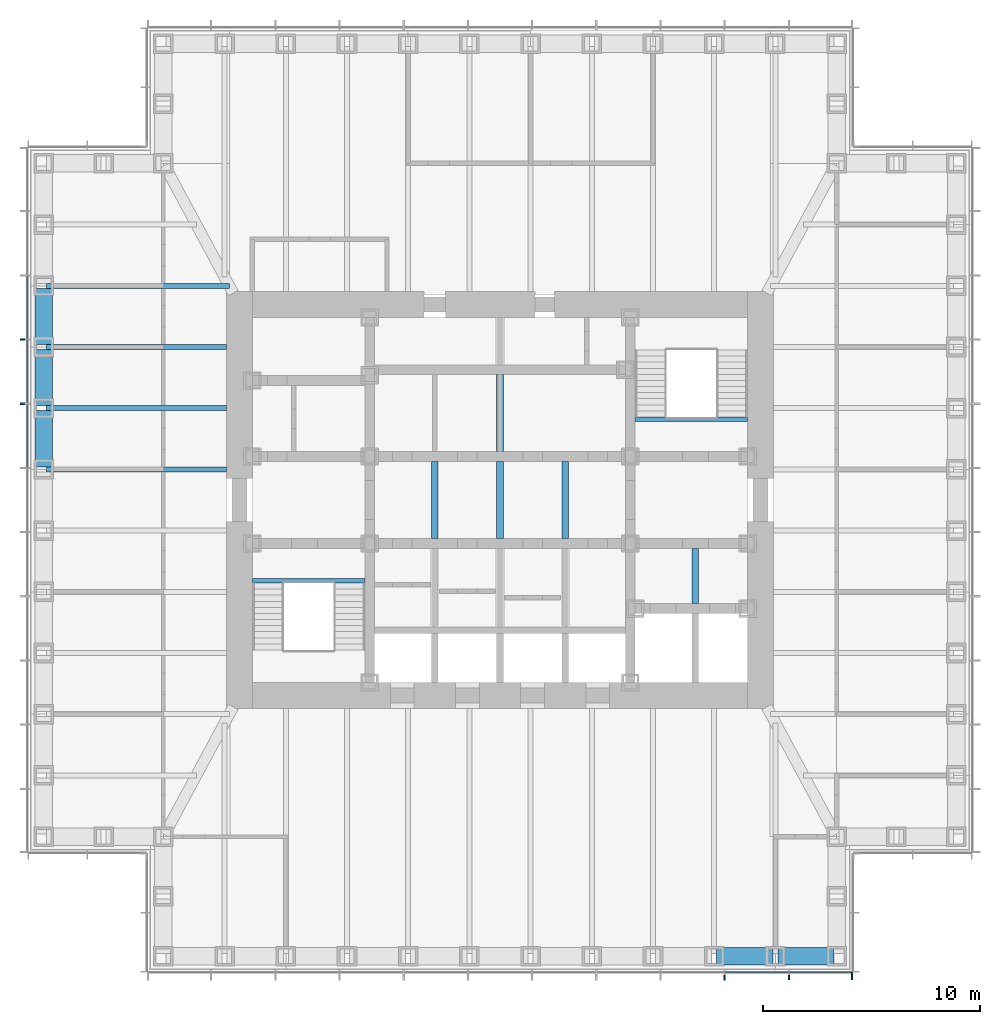
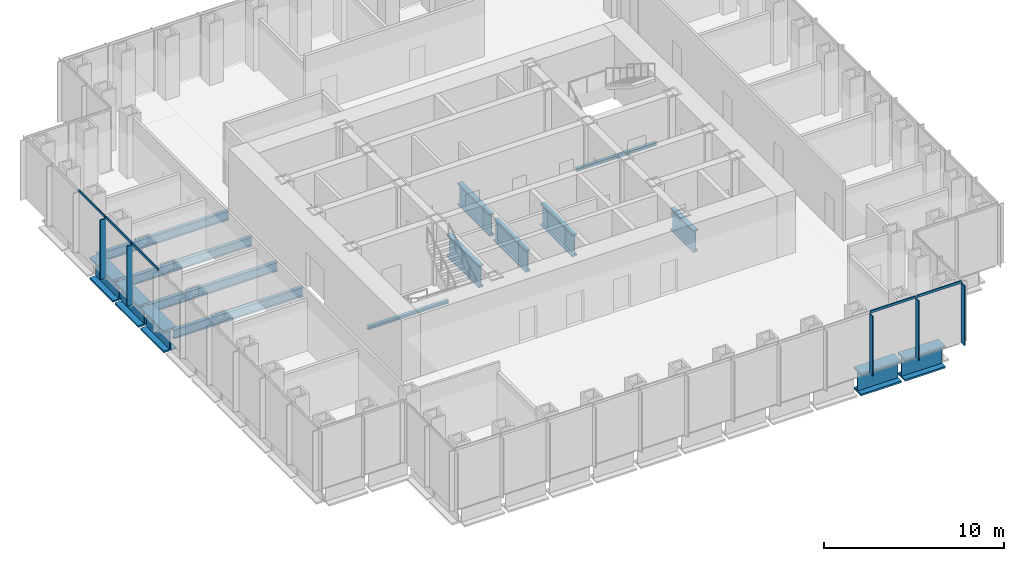
# One storey, part 3 of 16: 16 beams, 10 members, 2 elements without a shape of their own.
"""IFC4 building model written with IfcOpenShell, lengths in metres."""

from ifc_helpers import new_model, si_unit, direction, frame, origin, origin_2d, place, context, subcontext, project, spatial, rectangle, i_section, extrude, material, material_profile, profile_set, type_object, element, aggregate, save


model = new_model("IFC4")

# Units and contexts
model_context = context("Model", 3, precision=1e-05, world=origin(), true_north=direction((0.0, 1.0)))
body_context = subcontext(model_context, "Body", "Model", "MODEL_VIEW")
ifc_project = project(units=[si_unit("LENGTHUNIT", "METRE"), si_unit("AREAUNIT", "SQUARE_METRE"), si_unit("VOLUMEUNIT", "CUBIC_METRE"), si_unit("PLANEANGLEUNIT", "RADIAN"), si_unit("MASSUNIT", "GRAM", prefix="KILO")], contexts=[model_context])

# Site, building, storey
site_placement = place(None, origin())
site = spatial("IfcSite", under=ifc_project, at=site_placement, CompositionType="ELEMENT")
building_placement = place(site_placement, origin())
building = spatial("IfcBuilding", under=site, at=building_placement, Name="Daluyong Arena Tower", CompositionType="ELEMENT")
storey_placement = place(building_placement, frame((0.0, 0.0, 189.699951171875)))
storey = spatial("IfcBuildingStorey", under=building, at=storey_placement, Name="L42", CompositionType="ELEMENT", Elevation=189.699951171875)

# Curtain wall, members
ifc_material_1 = material(Name="Bronze anodised aluminium and glass", Category="aluminium")
curtain_wall_type = type_object("IfcCurtainWallType", Name="Curtain wall CW3", PredefinedType="USERDEFINED", material=ifc_material_1)
curtain_wall_1_placement = place(storey_placement, origin())
curtain_wall_1 = element("IfcCurtainWall", 1, at=curtain_wall_1_placement, inside=storey, type_object=curtain_wall_type, Name="curtain wall L42 S", ObjectType="UNITISED CURTAIN WALL", PredefinedType="USERDEFINED")
ifc_material_2 = material(Name="Bronze anodised aluminium fin", Category="aluminium")
ifc_material_profile_1 = material_profile(ifc_material_2, rectangle(XDim=0.35009765625, YDim=0.070068359375, at=origin_2d()))
ifc_profile_set_1 = profile_set([ifc_material_profile_1], Name="Bronze anodised aluminium fin")
member_type_1 = type_object("IfcMemberType", Name="CW3 bronze fin 350x70", PredefinedType="MULLION", material=ifc_profile_set_1)
member_1_placement = place(storey_placement, frame((66.3408203125, 58.074951171875, 0.0), z_axis=(0.0, 0.0, 1.0), x_axis=(0.0, 1.0, 0.0)))
member_1 = element("IfcMember", 2, at=member_1_placement, type_object=member_type_1, Name="curtain wall L42 S fin 10", PredefinedType="MULLION", context=body_context, shape_type="SweptSolid", body=[
    extrude(rectangle(XDim=0.35009765625, YDim=0.070068359375, at=origin_2d()), origin(), (0.0, 0.0, 1.0), 4.0400390625),
])
member_2_placement = place(storey_placement, frame((69.29541015625, 58.074951171875, 0.0), z_axis=(0.0, 0.0, 1.0), x_axis=(0.0, 1.0, 0.0)))
member_2 = element("IfcMember", 3, at=member_2_placement, type_object=member_type_1, Name="curtain wall L42 S fin 11", PredefinedType="MULLION", context=body_context, shape_type="SweptSolid", body=[
    extrude(rectangle(XDim=0.35009765625, YDim=0.070068359375, at=origin_2d()), origin(), (0.0, 0.0, 1.0), 4.0400390625),
])
member_3_placement = place(storey_placement, frame((72.215087890625, 58.074951171875, 0.0), z_axis=(0.0, 0.0, 1.0), x_axis=(0.0, 1.0, 0.0)))
member_3 = element("IfcMember", 4, at=member_3_placement, type_object=member_type_1, Name="curtain wall L42 S fin 12", PredefinedType="MULLION", context=body_context, shape_type="SweptSolid", body=[
    extrude(rectangle(XDim=0.35009765625, YDim=0.070068359375, at=origin_2d()), origin(), (0.0, 0.0, 1.0), 4.0400390625),
])

curtain_wall_2_placement = place(storey_placement, origin())
curtain_wall_2 = element("IfcCurtainWall", 5, at=curtain_wall_2_placement, inside=storey, type_object=curtain_wall_type, Name="curtain wall L42 W", ObjectType="UNITISED CURTAIN WALL", PredefinedType="USERDEFINED")
member_4_placement = place(storey_placement, frame((34.074951171875, 87.386474609375, 0.0), z_axis=(0.0, 0.0, 1.0), x_axis=(1.0, 0.0, 0.0)))
member_4 = element("IfcMember", 6, at=member_4_placement, type_object=member_type_1, Name="curtain wall L42 W fin 4", PredefinedType="MULLION", context=body_context, shape_type="SweptSolid", body=[
    extrude(rectangle(XDim=0.35009765625, YDim=0.070068359375, at=origin_2d()), origin(), (0.0, 0.0, 1.0), 4.0400390625),
])
member_5_placement = place(storey_placement, frame((34.074951171875, 84.431884765625, 0.0), z_axis=(0.0, 0.0, 1.0), x_axis=(1.0, 0.0, 0.0)))
member_5 = element("IfcMember", 7, at=member_5_placement, type_object=member_type_1, Name="curtain wall L42 W fin 5", PredefinedType="MULLION", context=body_context, shape_type="SweptSolid", body=[
    extrude(rectangle(XDim=0.35009765625, YDim=0.070068359375, at=origin_2d()), origin(), (0.0, 0.0, 1.0), 4.0400390625),
])

# Member
ifc_material_3 = material(Name="Bronze anodised aluminium", Category="aluminium")
ifc_material_profile_2 = material_profile(ifc_material_3, rectangle(XDim=0.070068359375, YDim=0.159912109375, at=origin_2d()))
ifc_profile_set_2 = profile_set([ifc_material_profile_2], Name="Bronze anodised aluminium")
member_type_2 = type_object("IfcMemberType", Name="CW3 stack transom 160x70", PredefinedType="USERDEFINED", material=ifc_profile_set_2)
member_6_placement = place(storey_placement, frame((66.3759765625, 58.25, 4.1201171875), z_axis=(1.0, 0.0, 0.0), x_axis=(0.0, 1.0, 0.0)))
member_6 = element("IfcMember", 8, at=member_6_placement, type_object=member_type_2, Name="curtain wall L42 S transom 10", ObjectType="TRANSOM", PredefinedType="USERDEFINED", context=body_context, shape_type="SweptSolid", body=[
    extrude(rectangle(XDim=0.070068359375, YDim=0.159912109375, at=origin_2d()), origin(), (0.0, 0.0, 1.0), 2.884521484375),
])

member_7_placement = place(storey_placement, frame((69.33056640625, 58.25, 4.1201171875), z_axis=(1.0, 0.0, 0.0), x_axis=(0.0, 1.0, 0.0)))
member_7 = element("IfcMember", 9, at=member_7_placement, type_object=member_type_2, Name="curtain wall L42 S transom 11", ObjectType="TRANSOM", PredefinedType="USERDEFINED", context=body_context, shape_type="SweptSolid", body=[
    extrude(rectangle(XDim=0.070068359375, YDim=0.159912109375, at=origin_2d()), origin(), (0.0, 0.0, 1.0), 2.849365234375),
])

aggregate(curtain_wall_1, [member_1, member_2, member_3, member_6, member_7])

member_8_placement = place(storey_placement, frame((34.25, 90.305908203125, 4.1201171875), z_axis=(0.0, -1.0, 0.0), x_axis=(1.0, 0.0, 0.0)))
member_8 = element("IfcMember", 10, at=member_8_placement, type_object=member_type_2, Name="curtain wall L42 W transom 3", ObjectType="TRANSOM", PredefinedType="USERDEFINED", context=body_context, shape_type="SweptSolid", body=[
    extrude(rectangle(XDim=0.070068359375, YDim=0.159912109375, at=origin_2d()), origin(), (0.0, 0.0, 1.0), 2.884521484375),
])

member_9_placement = place(storey_placement, frame((34.25, 87.351318359375, 4.1201171875), z_axis=(0.0, -1.0, 0.0), x_axis=(1.0, 0.0, 0.0)))
member_9 = element("IfcMember", 11, at=member_9_placement, type_object=member_type_2, Name="curtain wall L42 W transom 4", ObjectType="TRANSOM", PredefinedType="USERDEFINED", context=body_context, shape_type="SweptSolid", body=[
    extrude(rectangle(XDim=0.070068359375, YDim=0.159912109375, at=origin_2d()), origin(), (0.0, 0.0, 1.0), 2.884521484375),
])

member_10_placement = place(storey_placement, frame((34.25, 84.396728515625, 4.1201171875), z_axis=(0.0, -1.0, 0.0), x_axis=(1.0, 0.0, 0.0)))
member_10 = element("IfcMember", 12, at=member_10_placement, type_object=member_type_2, Name="curtain wall L42 W transom 5", ObjectType="TRANSOM", PredefinedType="USERDEFINED", context=body_context, shape_type="SweptSolid", body=[
    extrude(rectangle(XDim=0.070068359375, YDim=0.159912109375, at=origin_2d()), origin(), (0.0, 0.0, 1.0), 2.884521484375),
])

aggregate(curtain_wall_2, [member_4, member_5, member_8, member_9, member_10])

# Beams
ifc_material_4 = material(Name="Steel ASTM A992 Grade 50", Category="steel")
ifc_material_profile_3 = material_profile(ifc_material_4, i_section(OverallWidth=0.22900390625, OverallDepth=0.612060546875, WebThickness=0.011962890625, FlangeThickness=0.01953125, at=origin_2d()))
ifc_profile_set_3 = profile_set([ifc_material_profile_3], Name="Steel ASTM A992 Grade 50")
beam_type_1 = type_object("IfcBeamType", Name="Floor beam W24X84", PredefinedType="BEAM", material=ifc_profile_set_3)
beam_1_placement = place(storey_placement, frame((35.114990234375, 89.863525390625, -0.466064453125), z_axis=(1.0, 0.0, 0.0), x_axis=(0.0, 1.0, 0.0)))
element("IfcBeam", 13, at=beam_1_placement, inside=storey, type_object=beam_type_1, Name="floor beam FB3", PredefinedType="BEAM", context=body_context, shape_type="SweptSolid", body=[
    extrude(i_section(OverallWidth=0.22900390625, OverallDepth=0.612060546875, WebThickness=0.011962890625, FlangeThickness=0.01953125, at=origin_2d()), origin(), (0.0, 0.0, 1.0), 8.419921875),
])
for number, where, z_axis, x_axis, name in (
    (14, (35.114990234375, 87.04541015625, -0.466064453125), (1.0, 0.0, 0.0), (0.0, 1.0, 0.0), "floor beam FB3"),
    (15, (35.114990234375, 84.227294921875, -0.466064453125), (1.0, 0.0, 0.0), (0.0, 1.0, 0.0), "floor beam FB3"),
    (16, (35.114990234375, 81.4091796875, -0.466064453125), (1.0, 0.0, 0.0), (0.0, 1.0, 0.0), "floor beam FB3"),
):
    element("IfcBeam", number, at=place(storey_placement, frame(where, z_axis=z_axis, x_axis=x_axis)), inside=storey, type_object=beam_type_1, Name=name, PredefinedType="BEAM", context=body_context, shape_type="SweptSolid", body=[
        extrude(i_section(OverallWidth=0.22900390625, OverallDepth=0.612060546875, WebThickness=0.011962890625, FlangeThickness=0.01953125, at=origin_2d()), origin(), (0.0, 0.0, 1.0), 8.284912109375),
    ])
ifc_material_5 = material(Name="Steel ASTM A572 Grade 50", Category="steel")
ifc_material_profile_4 = material_profile(ifc_material_5, i_section(OverallWidth=0.300048828125, OverallDepth=1.5, WebThickness=0.04, FlangeThickness=0.1, at=origin_2d()))
ifc_profile_set_4 = profile_set([ifc_material_profile_4], Name="Steel ASTM A572 Grade 50")
beam_type_2 = type_object("IfcBeamType", Name="Lift divider beam PG1500X300", PredefinedType="BEAM", material=ifc_profile_set_4)
for number, where, z_axis, x_axis, name in (
    (17, (53.0, 78.22509765625, -0.909912109375), (0.0, 1.0, 0.0), (-1.0, 0.0, 0.0), "lift divider beam DB2"),
    (18, (56.0, 78.22509765625, -0.909912109375), (0.0, 1.0, 0.0), (-1.0, 0.0, 0.0), "lift divider beam DB2"),
    (19, (56.0, 82.22509765625, -0.909912109375), (0.0, 1.0, 0.0), (-1.0, 0.0, 0.0), "lift divider beam DB2"),
    (20, (59.0, 78.22509765625, -0.909912109375), (0.0, 1.0, 0.0), (-1.0, 0.0, 0.0), "lift divider beam DB2"),
):
    element("IfcBeam", number, at=place(storey_placement, frame(where, z_axis=z_axis, x_axis=x_axis)), inside=storey, type_object=beam_type_2, Name=name, PredefinedType="BEAM", context=body_context, shape_type="SweptSolid", body=[
        extrude(i_section(OverallWidth=0.300048828125, OverallDepth=1.5, WebThickness=0.04, FlangeThickness=0.1, at=origin_2d()), origin(), (0.0, 0.0, 1.0), 3.5498046875),
    ])
beam_2_placement = place(storey_placement, frame((65.0, 75.22509765625, -0.909912109375), z_axis=(0.0, 1.0, 0.0), x_axis=(-1.0, 0.0, 0.0)))
element("IfcBeam", 21, at=beam_2_placement, inside=storey, type_object=beam_type_2, Name="lift divider beam DB2", PredefinedType="BEAM", context=body_context, shape_type="SweptSolid", body=[
    extrude(i_section(OverallWidth=0.300048828125, OverallDepth=1.5, WebThickness=0.04, FlangeThickness=0.1, at=origin_2d()), origin(), (0.0, 0.0, 1.0), 2.5498046875),
])
ifc_material_6 = material(Name="Steel ASTM A588 Grade 50", Category="steel")
ifc_material_profile_5 = material_profile(ifc_material_6, i_section(OverallWidth=0.800048828125, OverallDepth=1.5, WebThickness=0.05, FlangeThickness=0.12, at=origin_2d()))
ifc_profile_set_5 = profile_set([ifc_material_profile_5], Name="Steel ASTM A588 Grade 50")
beam_type_3 = type_object("IfcBeamType", Name="Spandrel Z3 PG1500X800", PredefinedType="SPANDREL", material=ifc_profile_set_5)
beam_3_placement = place(storey_placement, frame((65.978515625, 59.0, -0.909912109375), z_axis=(1.0, 0.0, 0.0), x_axis=(0.0, 1.0, 0.0)))
element("IfcBeam", 22, at=beam_3_placement, inside=storey, type_object=beam_type_3, Name="spandrel z3 SB7", PredefinedType="SPANDREL", context=body_context, shape_type="SweptSolid", body=[
    extrude(i_section(OverallWidth=0.800048828125, OverallDepth=1.5, WebThickness=0.05, FlangeThickness=0.12, at=origin_2d()), origin(), (0.0, 0.0, 1.0), 2.58837890625),
])
for number, where, z_axis, x_axis, name in (
    (23, (68.796875, 59.0, -0.909912109375), (1.0, 0.0, 0.0), (0.0, 1.0, 0.0), "spandrel z3 SB7"),
    (24, (35.0, 89.74853515625, -0.909912109375), (0.0, -1.0, 0.0), (1.0, 0.0, 0.0), "spandrel z3 SB7"),
    (25, (35.0, 86.930419921875, -0.909912109375), (0.0, -1.0, 0.0), (1.0, 0.0, 0.0), "spandrel z3 SB7"),
    (26, (35.0, 84.1123046875, -0.909912109375), (0.0, -1.0, 0.0), (1.0, 0.0, 0.0), "spandrel z3 SB7"),
):
    element("IfcBeam", number, at=place(storey_placement, frame(where, z_axis=z_axis, x_axis=x_axis)), inside=storey, type_object=beam_type_3, Name=name, PredefinedType="SPANDREL", context=body_context, shape_type="SweptSolid", body=[
        extrude(i_section(OverallWidth=0.800048828125, OverallDepth=1.5, WebThickness=0.05, FlangeThickness=0.12, at=origin_2d()), origin(), (0.0, 0.0, 1.0), 2.588134765625),
    ])
ifc_material_7 = material(Name="Steel ASTM A992 Grade 50", Category="steel")
ifc_material_profile_6 = material_profile(ifc_material_7, i_section(OverallWidth=0.203125, OverallDepth=0.203125, WebThickness=0.00732421875, FlangeThickness=0.010986328125, at=origin_2d()))
ifc_profile_set_6 = profile_set([ifc_material_profile_6], Name="Steel ASTM A992 Grade 50")
beam_type_4 = type_object("IfcBeamType", Name="Stair landing beam W8X31", PredefinedType="BEAM", material=ifc_profile_set_6)
for number, where, z_axis, x_axis, name in (
    (27, (44.60009765625, 76.276611328125, -0.261474609375), (1.0, 0.0, 0.0), (0.0, 1.0, 0.0), "exit stair A landing beam"),
    (28, (62.22509765625, 83.723388671875, -0.261474609375), (1.0, 0.0, 0.0), (0.0, 1.0, 0.0), "exit stair B landing beam"),
):
    element("IfcBeam", number, at=place(storey_placement, frame(where, z_axis=z_axis, x_axis=x_axis)), inside=storey, type_object=beam_type_4, Name=name, PredefinedType="BEAM", context=body_context, shape_type="SweptSolid", body=[
        extrude(i_section(OverallWidth=0.203125, OverallDepth=0.203125, WebThickness=0.00732421875, FlangeThickness=0.010986328125, at=origin_2d()), origin(), (0.0, 0.0, 1.0), 5.1748046875),
    ])

save(model, "model.ifc")
